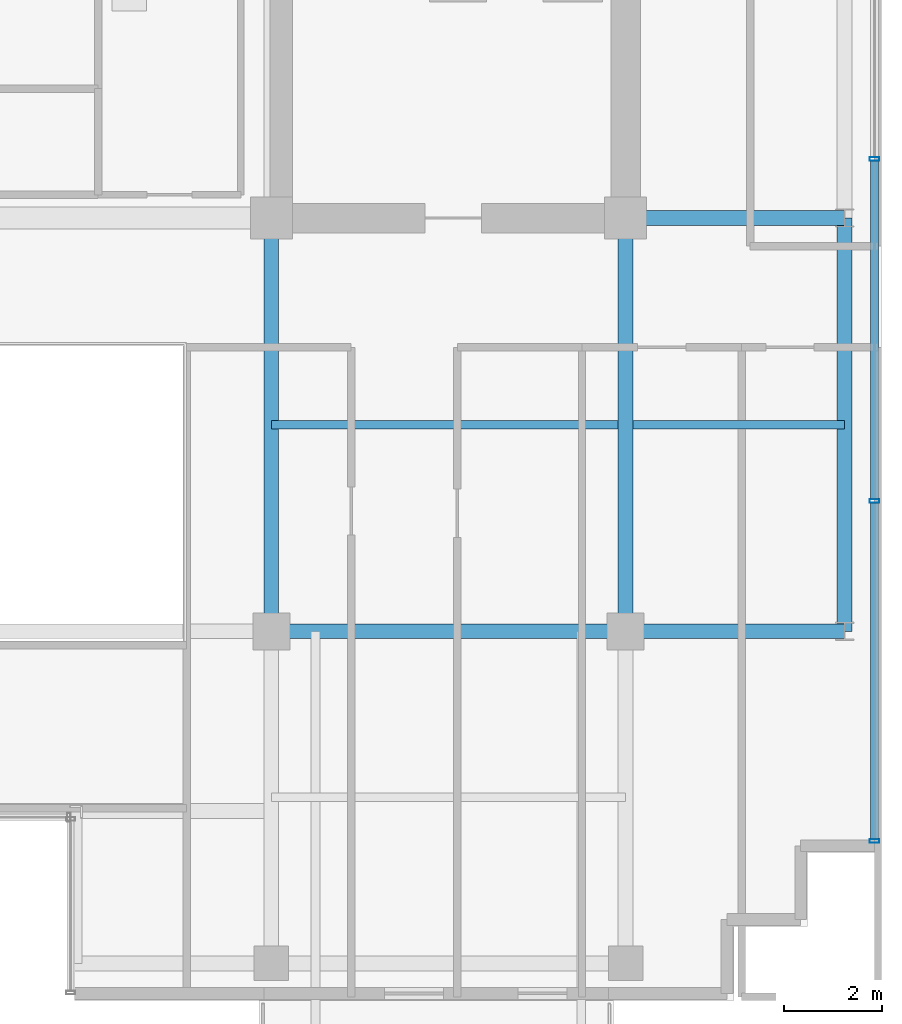
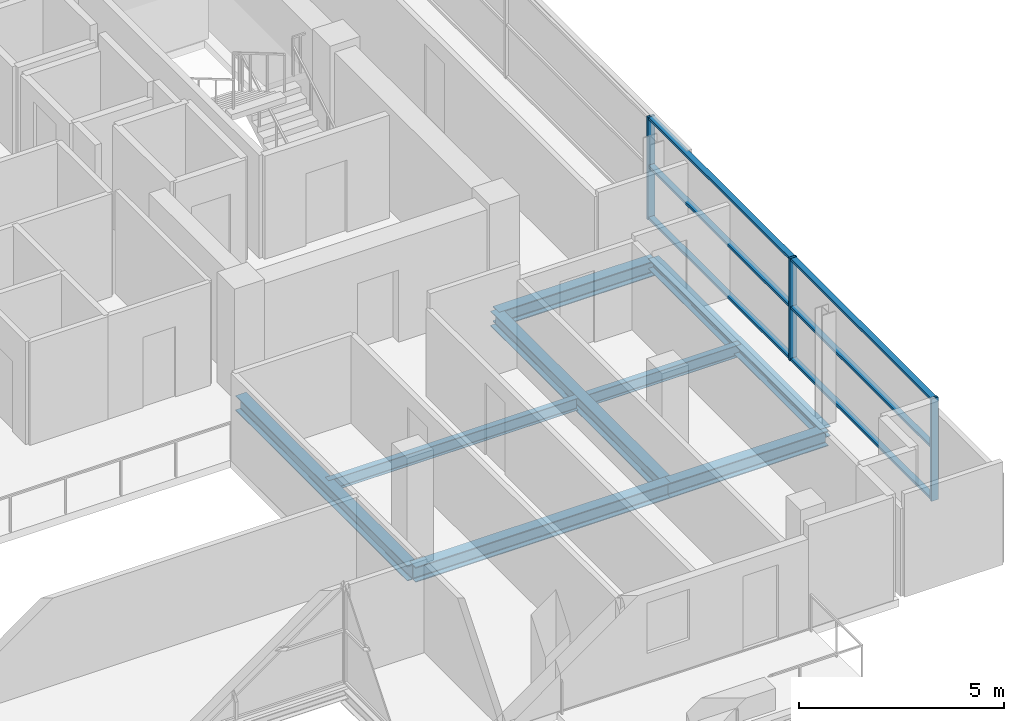
# One storey, part 8 of 22: 9 members, 8 beams, 1 element without a shape of its own.
"""IFC4 building model written with IfcOpenShell, lengths in metres."""

from ifc_helpers import new_model, si_unit, direction, frame, origin, origin_2d, place, context, subcontext, project, spatial, hollow_rectangle, i_section, extrude, source, transform, mapped, material, layer, layer_set, material_profile, profile_set, type_object, element, aggregate, save


model = new_model("IFC4")

# Units and contexts
model_context = context("Model", 3, precision=1e-05, world=origin(), true_north=direction((0.0, 1.0)))
body_context = subcontext(model_context, "Body", "Model", "MODEL_VIEW")
ifc_project = project(units=[si_unit("LENGTHUNIT", "METRE"), si_unit("AREAUNIT", "SQUARE_METRE"), si_unit("VOLUMEUNIT", "CUBIC_METRE"), si_unit("PLANEANGLEUNIT", "RADIAN"), si_unit("MASSUNIT", "GRAM", prefix="KILO")], contexts=[model_context])

# Site, building, storey
site_placement = place(None, origin())
site = spatial("IfcSite", under=ifc_project, at=site_placement, CompositionType="ELEMENT")
building_placement = place(site_placement, origin())
building = spatial("IfcBuilding", under=site, at=building_placement, Name="Zarnakvel Exchange Tower", CompositionType="ELEMENT")
storey_placement = place(building_placement, frame((0.0, 0.0, 222.10009765625)))
storey = spatial("IfcBuildingStorey", under=building, at=storey_placement, Name="L62", CompositionType="ELEMENT", Elevation=222.10009765625)

# Beams
ifc_material_1 = material(Name="Steel S355", Category="steel")
ifc_material_profile_1 = material_profile(ifc_material_1, i_section(OverallWidth=0.169921875, OverallDepth=0.360107421875, WebThickness=0.008056640625, FlangeThickness=0.0126953125, FilletRadius=0.01806640625, at=origin_2d()))
ifc_profile_set_1 = profile_set([ifc_material_profile_1], Name="Steel S355")
beam_type_1 = type_object("IfcBeamType", Name="B-07", PredefinedType="JOIST", material=ifc_profile_set_1)
beam_1_placement = place(storey_placement, frame((7.199951171875, -5.39990234375, -0.405029296875), z_axis=(1.0, 0.0, 0.0), x_axis=(0.0, 1.0, 0.0)))
element("IfcBeam", 1, at=beam_1_placement, inside=storey, type_object=beam_type_1, Name="L62 Composite Floor Secondary Joist", PredefinedType="JOIST", context=body_context, shape_type="SweptSolid", body=[
    extrude(i_section(OverallWidth=0.169921875, OverallDepth=0.360107421875, WebThickness=0.008056640625, FlangeThickness=0.0126953125, FilletRadius=0.01806640625, at=origin_2d()), origin(), (0.0, 0.0, 1.0), 7.050048828125),
])
beam_2_placement = place(storey_placement, frame((14.550048828125, -5.39990234375, -0.405029296875), z_axis=(1.0, 0.0, 0.0), x_axis=(0.0, 1.0, 0.0)))
element("IfcBeam", 2, at=beam_2_placement, inside=storey, type_object=beam_type_1, Name="L62 Composite Floor Secondary Joist", PredefinedType="JOIST", context=body_context, shape_type="SweptSolid", body=[
    extrude(i_section(OverallWidth=0.169921875, OverallDepth=0.360107421875, WebThickness=0.008056640625, FlangeThickness=0.0126953125, FilletRadius=0.01806640625, at=origin_2d()), origin(), (0.0, 0.0, 1.0), 4.300048828125),
])
ifc_material_profile_2 = material_profile(ifc_material_1, i_section(OverallWidth=0.300048828125, OverallDepth=0.449951171875, WebThickness=0.013916015625, FlangeThickness=0.02587890625, FilletRadius=0.027099609375, at=origin_2d()))
ifc_profile_set_2 = profile_set([ifc_material_profile_2], Name="Steel S355")
beam_type_2 = type_object("IfcBeamType", Name="G-07", PredefinedType="BEAM", material=ifc_profile_set_2)
beam_3_placement = place(storey_placement, frame((7.199951171875, -9.60009765625, -0.4501953125), z_axis=(1.0, 0.0, 0.0), x_axis=(0.0, 1.0, 0.0)))
element("IfcBeam", 3, at=beam_3_placement, inside=storey, type_object=beam_type_2, Name="L62 Tower E-W Frame Beam", PredefinedType="BEAM", context=body_context, shape_type="SweptSolid", body=[
    extrude(i_section(OverallWidth=0.300048828125, OverallDepth=0.449951171875, WebThickness=0.013916015625, FlangeThickness=0.02587890625, FilletRadius=0.027099609375, at=origin_2d()), origin(), (0.0, 0.0, 1.0), 7.199951171875),
])
for number, where, z_axis, x_axis, name in (
    (4, (14.39990234375, -9.60009765625, -0.4501953125), (1.0, 0.0, 0.0), (0.0, 1.0, 0.0), "L62 Tower E-W Frame Beam"),
    (5, (14.39990234375, -1.199951171875, -0.4501953125), (1.0, 0.0, 0.0), (0.0, 1.0, 0.0), "L62 Tower E-W Frame Beam"),
):
    element("IfcBeam", number, at=place(storey_placement, frame(where, z_axis=z_axis, x_axis=x_axis)), inside=storey, type_object=beam_type_2, Name=name, PredefinedType="BEAM", context=body_context, shape_type="SweptSolid", body=[
        extrude(i_section(OverallWidth=0.300048828125, OverallDepth=0.449951171875, WebThickness=0.013916015625, FlangeThickness=0.02587890625, FilletRadius=0.027099609375, at=origin_2d()), origin(), (0.0, 0.0, 1.0), 4.4501953125),
    ])
for number, where, z_axis, x_axis, name in (
    (6, (7.199951171875, -9.60009765625, -0.4501953125), (0.0, 1.0, 0.0), (-1.0, 0.0, 0.0), "L62 Tower N-S Frame Beam"),
    (7, (14.39990234375, -9.60009765625, -0.4501953125), (0.0, 1.0, 0.0), (-1.0, 0.0, 0.0), "L62 Tower N-S Frame Beam"),
):
    element("IfcBeam", number, at=place(storey_placement, frame(where, z_axis=z_axis, x_axis=x_axis)), inside=storey, type_object=beam_type_2, Name=name, PredefinedType="BEAM", context=body_context, shape_type="SweptSolid", body=[
        extrude(i_section(OverallWidth=0.300048828125, OverallDepth=0.449951171875, WebThickness=0.013916015625, FlangeThickness=0.02587890625, FilletRadius=0.027099609375, at=origin_2d()), origin(), (0.0, 0.0, 1.0), 8.400146484375),
    ])
ifc_material_profile_3 = material_profile(ifc_material_1, i_section(OverallWidth=0.300048828125, OverallDepth=0.300048828125, WebThickness=0.010986328125, FlangeThickness=0.01904296875, FilletRadius=0.027099609375, at=origin_2d()))
ifc_profile_set_3 = profile_set([ifc_material_profile_3], Name="Steel S355")
beam_type_3 = type_object("IfcBeamType", Name="SP-03", PredefinedType="SPANDREL", material=ifc_profile_set_3)
beam_4_placement = place(storey_placement, frame((18.85009765625, -9.60009765625, -0.375), z_axis=(0.0, 1.0, 0.0), x_axis=(-1.0, 0.0, 0.0)))
element("IfcBeam", 8, at=beam_4_placement, inside=storey, type_object=beam_type_3, Name="L62 Tower N-S Frame Beam", PredefinedType="SPANDREL", context=body_context, shape_type="SweptSolid", body=[
    extrude(i_section(OverallWidth=0.300048828125, OverallDepth=0.300048828125, WebThickness=0.010986328125, FlangeThickness=0.01904296875, FilletRadius=0.027099609375, at=origin_2d()), origin(), (0.0, 0.0, 1.0), 8.400146484375),
])

# Curtain wall, members
ifc_material_2 = material(Name="Architectural Bronze Anodised Aluminium", Category="aluminium")
ifc_layer = layer(ifc_material_2, 0.199951171875)
ifc_layer_set = layer_set([ifc_layer], Name="Architectural Bronze Anodised Aluminium")
curtain_wall_type = type_object("IfcCurtainWallType", Name="CW-04", PredefinedType="NOTDEFINED", material=ifc_layer_set)
curtain_wall_placement = place(storey_placement, origin())
curtain_wall = element("IfcCurtainWall", 9, at=curtain_wall_placement, inside=storey, type_object=curtain_wall_type, Name="L62 Curtain Wall CW-L62-E1 (CW-04)", PredefinedType="NOTDEFINED")
ifc_material_profile_4 = material_profile(ifc_material_2, hollow_rectangle(XDim=0.199951171875, YDim=0.074951171875, WallThickness=0.0048828125, at=origin_2d()))
ifc_profile_set_4 = profile_set([ifc_material_profile_4], Name="Architectural Bronze Anodised Aluminium")
member_type_1 = type_object("IfcMemberType", Name="CWM-04", PredefinedType="MULLION", material=ifc_profile_set_4)
shared_shape_1 = source(origin(), body_context, "Body", "SweptSolid", [
    extrude(hollow_rectangle(XDim=0.199951171875, YDim=0.074951171875, WallThickness=0.0048828125, at=origin_2d()), origin(), (0.0, 0.0, 1.0), 3.054931640625),
])
member_1_placement = place(storey_placement, frame((19.4599609375, -13.862548828125, 0.0), z_axis=(0.0, 0.0, 1.0), x_axis=(-1.0, 0.0, 0.0)))
member_1 = element("IfcMember", 10, at=member_1_placement, type_object=member_type_1, Name="CW-04 mullion 1", PredefinedType="MULLION", context=body_context, shape_type="MappedRepresentation", body=[
    mapped(shared_shape_1, transform((0.0, 0.0, 0.0), x_axis=(1.0, 0.0, 0.0), y_axis=(0.0, 1.0, 0.0), z_axis=(0.0, 0.0, 1.0), scale=1.0)),
])
member_2_placement = place(storey_placement, frame((19.4599609375, -6.949951171875, 0.0), z_axis=(0.0, 0.0, 1.0), x_axis=(-1.0, 0.0, 0.0)))
member_2 = element("IfcMember", 11, at=member_2_placement, type_object=member_type_1, Name="CW-04 mullion 2", PredefinedType="MULLION", context=body_context, shape_type="MappedRepresentation", body=[
    mapped(shared_shape_1, transform((0.0, 0.0, 0.0), x_axis=(1.0, 0.0, 0.0), y_axis=(0.0, 1.0, 0.0), z_axis=(0.0, 0.0, 1.0), scale=1.0)),
])
member_3_placement = place(storey_placement, frame((19.4599609375, 0.0, 0.0), z_axis=(0.0, 0.0, 1.0), x_axis=(-1.0, 0.0, 0.0)))
member_3 = element("IfcMember", 12, at=member_3_placement, type_object=member_type_1, Name="CW-04 mullion 3", PredefinedType="MULLION", context=body_context, shape_type="MappedRepresentation", body=[
    mapped(shared_shape_1, transform((0.0, 0.0, 0.0), x_axis=(1.0, 0.0, 0.0), y_axis=(0.0, 1.0, 0.0), z_axis=(0.0, 0.0, 1.0), scale=1.0)),
])
ifc_material_profile_5 = material_profile(ifc_material_2, hollow_rectangle(XDim=0.159912109375, YDim=0.074951171875, WallThickness=0.00390625, at=origin_2d()))
ifc_profile_set_5 = profile_set([ifc_material_profile_5], Name="Architectural Bronze Anodised Aluminium")
member_type_2 = type_object("IfcMemberType", Name="CWT-04", PredefinedType="USERDEFINED", material=ifc_profile_set_5)
shared_shape_2 = source(origin(), body_context, "Body", "SweptSolid", [
    extrude(hollow_rectangle(XDim=0.159912109375, YDim=0.074951171875, WallThickness=0.00390625, at=origin_2d()), origin(), (0.0, 0.0, 1.0), 6.83740234375),
])
member_4_placement = place(storey_placement, frame((19.4599609375, -13.824951171875, 0.037353515625), z_axis=(0.0, 1.0, 0.0), x_axis=(-1.0, 0.0, 0.0)))
member_4 = element("IfcMember", 13, at=member_4_placement, type_object=member_type_2, Name="CW-04 transom 1.1", ObjectType="TRANSOM", PredefinedType="USERDEFINED", context=body_context, shape_type="MappedRepresentation", body=[
    mapped(shared_shape_2, transform((0.0, 0.0, 0.0), x_axis=(1.0, 0.0, 0.0), y_axis=(0.0, 1.0, 0.0), z_axis=(0.0, 0.0, 1.0), scale=1.0)),
])
member_5_placement = place(storey_placement, frame((19.4599609375, -13.824951171875, 1.588623046875), z_axis=(0.0, 1.0, 0.0), x_axis=(-1.0, 0.0, 0.0)))
member_5 = element("IfcMember", 14, at=member_5_placement, type_object=member_type_2, Name="CW-04 transom 1.2", ObjectType="TRANSOM", PredefinedType="USERDEFINED", context=body_context, shape_type="MappedRepresentation", body=[
    mapped(shared_shape_2, transform((0.0, 0.0, 0.0), x_axis=(1.0, 0.0, 0.0), y_axis=(0.0, 1.0, 0.0), z_axis=(0.0, 0.0, 1.0), scale=1.0)),
])
member_6_placement = place(storey_placement, frame((19.4599609375, -13.824951171875, 3.017333984375), z_axis=(0.0, 1.0, 0.0), x_axis=(-1.0, 0.0, 0.0)))
member_6 = element("IfcMember", 15, at=member_6_placement, type_object=member_type_2, Name="CW-04 transom 1.3", ObjectType="TRANSOM", PredefinedType="USERDEFINED", context=body_context, shape_type="MappedRepresentation", body=[
    mapped(shared_shape_2, transform((0.0, 0.0, 0.0), x_axis=(1.0, 0.0, 0.0), y_axis=(0.0, 1.0, 0.0), z_axis=(0.0, 0.0, 1.0), scale=1.0)),
])
shared_shape_3 = source(origin(), body_context, "Body", "SweptSolid", [
    extrude(hollow_rectangle(XDim=0.159912109375, YDim=0.074951171875, WallThickness=0.00390625, at=origin_2d()), origin(), (0.0, 0.0, 1.0), 6.875),
])
member_7_placement = place(storey_placement, frame((19.4599609375, -6.91259765625, 0.037353515625), z_axis=(0.0, 1.0, 0.0), x_axis=(-1.0, 0.0, 0.0)))
member_7 = element("IfcMember", 16, at=member_7_placement, type_object=member_type_2, Name="CW-04 transom 2.1", ObjectType="TRANSOM", PredefinedType="USERDEFINED", context=body_context, shape_type="MappedRepresentation", body=[
    mapped(shared_shape_3, transform((0.0, 0.0, 0.0), x_axis=(1.0, 0.0, 0.0), y_axis=(0.0, 1.0, 0.0), z_axis=(0.0, 0.0, 1.0), scale=1.0)),
])
member_8_placement = place(storey_placement, frame((19.4599609375, -6.91259765625, 1.588623046875), z_axis=(0.0, 1.0, 0.0), x_axis=(-1.0, 0.0, 0.0)))
member_8 = element("IfcMember", 17, at=member_8_placement, type_object=member_type_2, Name="CW-04 transom 2.2", ObjectType="TRANSOM", PredefinedType="USERDEFINED", context=body_context, shape_type="MappedRepresentation", body=[
    mapped(shared_shape_3, transform((0.0, 0.0, 0.0), x_axis=(1.0, 0.0, 0.0), y_axis=(0.0, 1.0, 0.0), z_axis=(0.0, 0.0, 1.0), scale=1.0)),
])
member_9_placement = place(storey_placement, frame((19.4599609375, -6.91259765625, 3.017333984375), z_axis=(0.0, 1.0, 0.0), x_axis=(-1.0, 0.0, 0.0)))
member_9 = element("IfcMember", 18, at=member_9_placement, type_object=member_type_2, Name="CW-04 transom 2.3", ObjectType="TRANSOM", PredefinedType="USERDEFINED", context=body_context, shape_type="MappedRepresentation", body=[
    mapped(shared_shape_3, transform((0.0, 0.0, 0.0), x_axis=(1.0, 0.0, 0.0), y_axis=(0.0, 1.0, 0.0), z_axis=(0.0, 0.0, 1.0), scale=1.0)),
])
aggregate(curtain_wall, [member_1, member_2, member_3, member_4, member_5, member_6, member_7, member_8, member_9])

save(model, "model.ifc")
